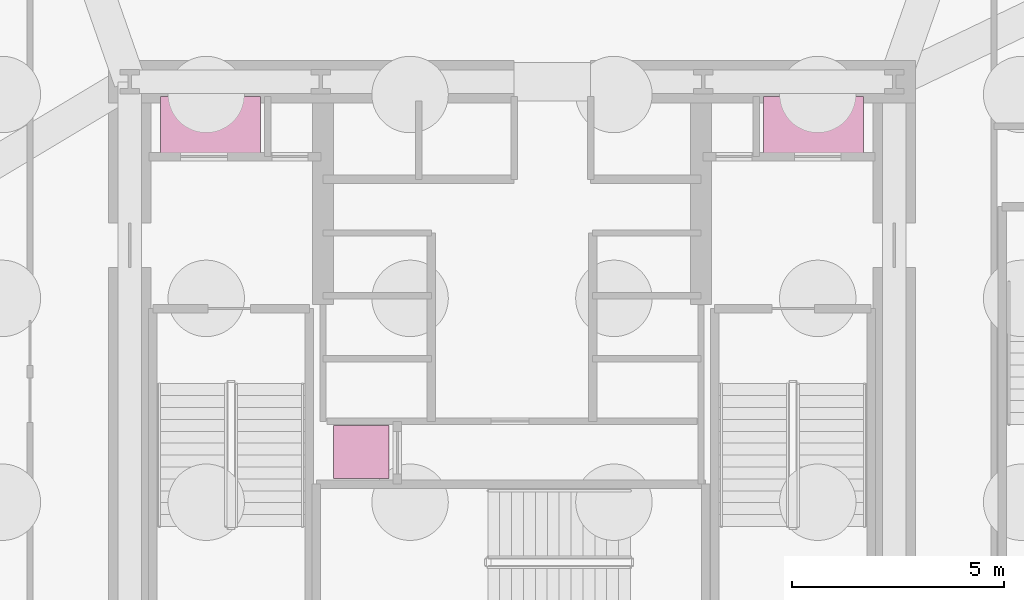
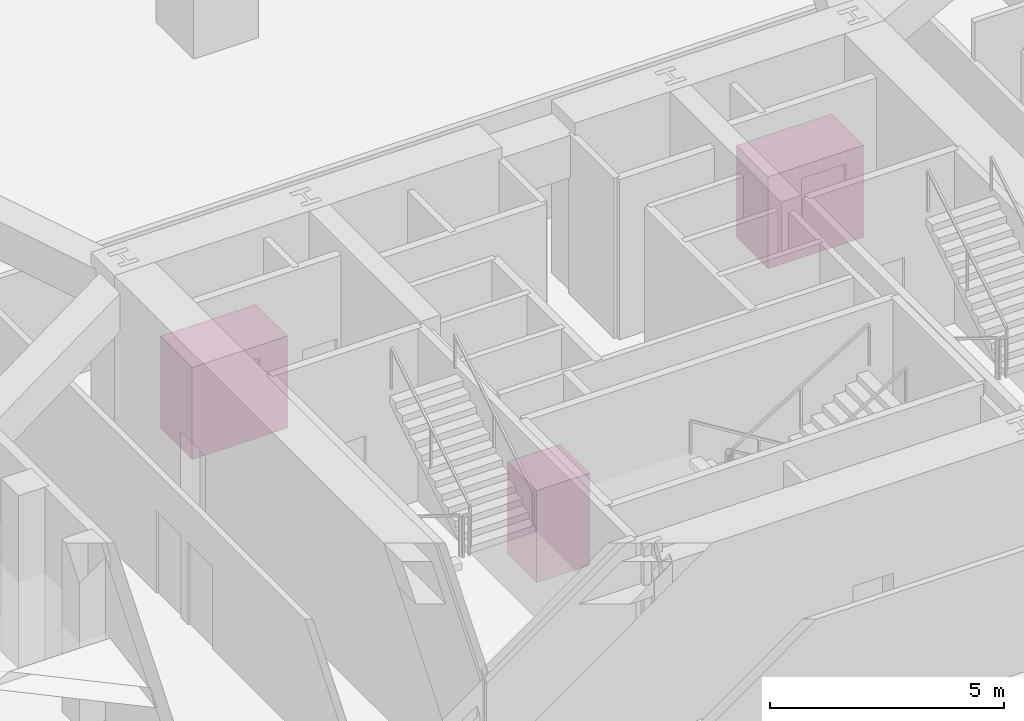
# One storey, part 8 of 8: 3 transport elements.
"""IFC4 building model written with IfcOpenShell, lengths in metres."""

from ifc_helpers import new_model, si_unit, direction, frame, origin, origin_2d, place, context, subcontext, project, spatial, rectangle, extrude, material, type_object, element, save


model = new_model("IFC4")

# Units and contexts
model_context = context("Model", 3, precision=1e-05, world=origin(), true_north=direction((0.0, 1.0)))
body_context = subcontext(model_context, "Body", "Model", "MODEL_VIEW")
ifc_project = project(units=[si_unit("LENGTHUNIT", "METRE"), si_unit("AREAUNIT", "SQUARE_METRE"), si_unit("VOLUMEUNIT", "CUBIC_METRE"), si_unit("PLANEANGLEUNIT", "RADIAN"), si_unit("MASSUNIT", "GRAM", prefix="KILO")], contexts=[model_context])

# Site, building, storey
site_placement = place(None, origin())
site = spatial("IfcSite", under=ifc_project, at=site_placement, CompositionType="ELEMENT")
building_placement = place(site_placement, origin())
building = spatial("IfcBuilding", under=site, at=building_placement, Name="Kilnhurst Terrace Hotel", CompositionType="ELEMENT")
storey_placement = place(building_placement, frame((0.0, 0.0, -9.0)))
storey = spatial("IfcBuildingStorey", under=building, at=storey_placement, Name="B2", CompositionType="ELEMENT", Elevation=-9.0)

# Transport elements
ifc_material_1 = material(Name="Stainless Steel AISI 316L Fire-Rated Elevator Cab", Category="steel")
transport_element_type_1 = type_object("IfcTransportElementType", Name="LFT-FSAE-1800KG", PredefinedType="ELEVATOR", material=ifc_material_1)
for number, where, z_axis, x_axis, name in (
    (1, (-7.10009765625, 6.47998046875, 0.0), (0.0, 0.0, 1.0), (1.0, 0.0, 0.0), "Fire Service Access Elevator FSAE-1"),
    (2, (7.10009765625, 6.47998046875, 0.0), (0.0, 0.0, 1.0), (1.0, 0.0, 0.0), "Fire Service Access Elevator FSAE-2"),
):
    element("IfcTransportElement", number, at=place(storey_placement, frame(where, z_axis=z_axis, x_axis=x_axis)), inside=storey, type_object=transport_element_type_1, Name=name, PredefinedType="ELEVATOR", context=body_context, shape_type="SweptSolid", body=[
        extrude(rectangle(XDim=2.35009765625, YDim=1.35009765625, at=origin_2d()), origin(), (0.0, 0.0, 1.0), 2.39990234375),
    ])
ifc_material_2 = material(Name="Heavy-Duty Brushed Stainless Steel AISI 304 Service Cab", Category="steel")
transport_element_type_2 = type_object("IfcTransportElementType", Name="LFT-SRV-2000KG", PredefinedType="ELEVATOR", material=ifc_material_2)
transport_element_placement = place(storey_placement, frame((-3.550048828125, -1.219970703125, 0.0), z_axis=(0.0, 0.0, 1.0), x_axis=(1.0, 0.0, 0.0)))
element("IfcTransportElement", 3, at=transport_element_placement, inside=storey, type_object=transport_element_type_2, Name="Service Goods Elevator SRV-1", PredefinedType="ELEVATOR", context=body_context, shape_type="SweptSolid", body=[
    extrude(rectangle(XDim=1.300048828125, YDim=1.25, at=origin_2d()), origin(), (0.0, 0.0, 1.0), 2.39990234375),
])

save(model, "model.ifc")
